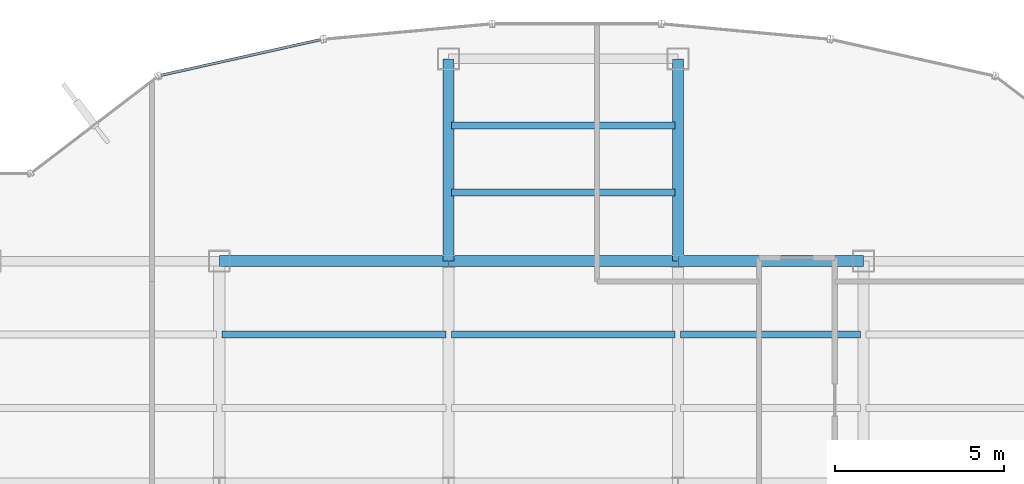
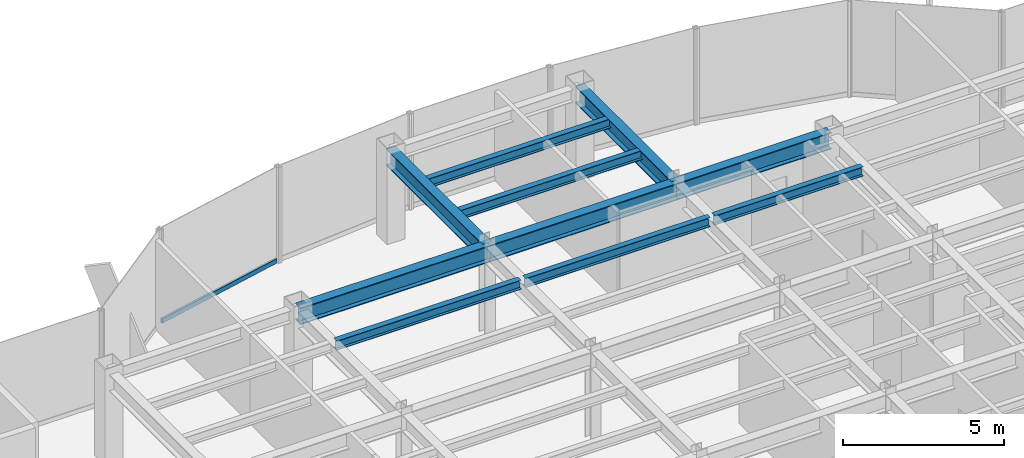
# One storey, part 15 of 25: 10 beams, 1 member, 1 element without a shape of its own.
"""IFC4 building model written with IfcOpenShell, lengths in metres."""

from ifc_helpers import new_model, si_unit, derived_unit, direction, frame, origin, origin_2d, place, context, subcontext, project, spatial, hollow_rectangle, i_section, extrude, source, transform, mapped, material, material_profile, profile_set, type_object, element, aggregate, save


model = new_model("IFC4")

# Units and contexts
model_context = context("Model", 3, precision=1e-05, world=origin(), true_north=direction((0.0, 1.0)))
body_context = subcontext(model_context, "Body", "Model", "MODEL_VIEW")
ifc_project = project(units=[si_unit("LENGTHUNIT", "METRE"), si_unit("AREAUNIT", "SQUARE_METRE"), si_unit("VOLUMEUNIT", "CUBIC_METRE"), si_unit("PLANEANGLEUNIT", "RADIAN"), si_unit("MASSUNIT", "GRAM", prefix="KILO"), derived_unit("THERMALTRANSMITTANCEUNIT", [(si_unit("POWERUNIT", "WATT"), 1), (si_unit("LENGTHUNIT", "METRE"), -2), (si_unit("THERMODYNAMICTEMPERATUREUNIT", "KELVIN"), -1)])], contexts=[model_context])

# Site, building, storey
site_placement = place(None, origin())
site = spatial("IfcSite", under=ifc_project, at=site_placement, CompositionType="ELEMENT")
building_placement = place(site_placement, origin())
building = spatial("IfcBuilding", under=site, at=building_placement, Name="Skarnbrae Concourse Arena and Tower", CompositionType="ELEMENT")
storey_placement = place(building_placement, frame((0.0, 0.0, 151.550048828125)))
storey = spatial("IfcBuildingStorey", under=building, at=storey_placement, Name="L38", CompositionType="ELEMENT", Elevation=151.550048828125)

# Beams
ifc_material_1 = material(Name="Steel CSA G40.21 350W", Category="steel")
ifc_material_profile_1 = material_profile(ifc_material_1, i_section(OverallWidth=0.3291015625, OverallDepth=0.635009765625, WebThickness=0.017822265625, FlangeThickness=0.031005859375, at=origin_2d()), Name="W610X241")
ifc_profile_set_1 = profile_set([ifc_material_profile_1], Name="Steel CSA G40.21 350W")
beam_type_1 = type_object("IfcBeamType", Name="BM-GIRD-W610X241", PredefinedType="BEAM", material=ifc_profile_set_1)
shared_shape_1 = source(origin(), body_context, "Body", "SweptSolid", [
    extrude(i_section(OverallWidth=0.3291015625, OverallDepth=0.635009765625, WebThickness=0.017822265625, FlangeThickness=0.031005859375, at=origin_2d()), origin(), (0.0, 0.0, 1.0), 6.800048828125),
])
for number, where, z_axis, x_axis, name in (
    (1, (14.39990234375, 34.39990234375, 3.08251953125), (1.0, 0.0, 0.0), (0.0, 1.0, 0.0), "L38 Primary E-W girder Y34.4-2"),
    (2, (21.199951171875, 34.39990234375, 3.08251953125), (1.0, 0.0, 0.0), (0.0, 1.0, 0.0), "L38 Primary E-W girder Y34.4-3"),
):
    element("IfcBeam", number, at=place(storey_placement, frame(where, z_axis=z_axis, x_axis=x_axis)), inside=storey, type_object=beam_type_1, Name=name, PredefinedType="BEAM", context=body_context, shape_type="MappedRepresentation", body=[
        mapped(shared_shape_1, transform((0.0, 0.0, 0.0))),
    ])
shared_shape_2 = source(origin(), body_context, "Body", "SweptSolid", [
    extrude(i_section(OverallWidth=0.3291015625, OverallDepth=0.635009765625, WebThickness=0.017822265625, FlangeThickness=0.031005859375, at=origin_2d()), origin(), (0.0, 0.0, 1.0), 5.5),
])
beam_1_placement = place(storey_placement, frame((28.0, 34.39990234375, 3.08251953125), z_axis=(1.0, 0.0, 0.0), x_axis=(0.0, 1.0, 0.0)))
element("IfcBeam", 3, at=beam_1_placement, inside=storey, type_object=beam_type_1, Name="L38 Primary E-W girder Y34.4-4", PredefinedType="BEAM", context=body_context, shape_type="MappedRepresentation", body=[
    mapped(shared_shape_2, transform((0.0, 0.0, 0.0))),
])
shared_shape_3 = source(origin(), body_context, "Body", "SweptSolid", [
    extrude(i_section(OverallWidth=0.3291015625, OverallDepth=0.635009765625, WebThickness=0.017822265625, FlangeThickness=0.031005859375, at=origin_2d()), origin(), (0.0, 0.0, 1.0), 6.0),
])
for number, where, z_axis, x_axis, name in (
    (4, (21.199951171875, 34.39990234375, 3.08251953125), (0.0, 1.0, 0.0), (-1.0, 0.0, 0.0), "L38 Primary N-S girder X21.2-4"),
    (5, (28.0, 34.39990234375, 3.08251953125), (0.0, 1.0, 0.0), (-1.0, 0.0, 0.0), "L38 Primary N-S girder X28.0-4"),
):
    element("IfcBeam", number, at=place(storey_placement, frame(where, z_axis=z_axis, x_axis=x_axis)), inside=storey, type_object=beam_type_1, Name=name, PredefinedType="BEAM", context=body_context, shape_type="MappedRepresentation", body=[
        mapped(shared_shape_3, transform((0.0, 0.0, 0.0))),
    ])
ifc_material_profile_2 = material_profile(ifc_material_1, i_section(OverallWidth=0.205078125, OverallDepth=0.35400390625, WebThickness=0.009521484375, FlangeThickness=0.016845703125, at=origin_2d()), Name="W360X79")
ifc_profile_set_2 = profile_set([ifc_material_profile_2], Name="Steel CSA G40.21 350W")
beam_type_2 = type_object("IfcBeamType", Name="BM-JOIST-W360X79", PredefinedType="JOIST", material=ifc_profile_set_2)
shared_shape_4 = source(origin(), body_context, "Body", "SweptSolid", [
    extrude(i_section(OverallWidth=0.205078125, OverallDepth=0.35400390625, WebThickness=0.009521484375, FlangeThickness=0.016845703125, at=origin_2d()), origin(), (0.0, 0.0, 1.0), 6.64013671875),
])
beam_2_placement = place(storey_placement, frame((14.47998046875, 32.221923828125, 3.222900390625), z_axis=(1.0, 0.0, 0.0), x_axis=(0.0, 1.0, 0.0)))
element("IfcBeam", 6, at=beam_2_placement, inside=storey, type_object=beam_type_2, Name="L38 Secondary floor joist 3.2.2", PredefinedType="JOIST", context=body_context, shape_type="MappedRepresentation", body=[
    mapped(shared_shape_4, transform((0.0, 0.0, 0.0))),
])
shared_shape_5 = source(origin(), body_context, "Body", "SweptSolid", [
    extrude(i_section(OverallWidth=0.205078125, OverallDepth=0.35400390625, WebThickness=0.009521484375, FlangeThickness=0.016845703125, at=origin_2d()), origin(), (0.0, 0.0, 1.0), 6.639892578125),
])
for number, where, z_axis, x_axis, name in (
    (7, (21.280029296875, 32.221923828125, 3.222900390625), (1.0, 0.0, 0.0), (0.0, 1.0, 0.0), "L38 Secondary floor joist 3.2.3"),
    (8, (21.280029296875, 36.43994140625, 3.222900390625), (1.0, 0.0, 0.0), (0.0, 1.0, 0.0), "L38 Secondary floor joist 4.1.1"),
    (9, (21.280029296875, 38.419921875, 3.222900390625), (1.0, 0.0, 0.0), (0.0, 1.0, 0.0), "L38 Secondary floor joist 4.2.1"),
):
    element("IfcBeam", number, at=place(storey_placement, frame(where, z_axis=z_axis, x_axis=x_axis)), inside=storey, type_object=beam_type_2, Name=name, PredefinedType="JOIST", context=body_context, shape_type="MappedRepresentation", body=[
        mapped(shared_shape_5, transform((0.0, 0.0, 0.0))),
    ])
shared_shape_6 = source(origin(), body_context, "Body", "SweptSolid", [
    extrude(i_section(OverallWidth=0.205078125, OverallDepth=0.35400390625, WebThickness=0.009521484375, FlangeThickness=0.016845703125, at=origin_2d()), origin(), (0.0, 0.0, 1.0), 5.33984375),
])
beam_3_placement = place(storey_placement, frame((28.080078125, 32.221923828125, 3.222900390625), z_axis=(1.0, 0.0, 0.0), x_axis=(0.0, 1.0, 0.0)))
element("IfcBeam", 10, at=beam_3_placement, inside=storey, type_object=beam_type_2, Name="L38 Secondary floor joist 3.2.4", PredefinedType="JOIST", context=body_context, shape_type="MappedRepresentation", body=[
    mapped(shared_shape_6, transform((0.0, 0.0, 0.0))),
])

# Curtain wall, member
ifc_material_2 = material(Name="Bronze anodised aluminium 6063-T6", Category="aluminium")
curtain_wall_type = type_object("IfcCurtainWallType", Name="CW-SYS-03-PORTAL", PredefinedType="USERDEFINED", material=ifc_material_2)
curtain_wall_placement = place(storey_placement, origin())
curtain_wall = element("IfcCurtainWall", 11, at=curtain_wall_placement, inside=storey, type_object=curtain_wall_type, Name="L38 Unitised curtain wall CW-L38-E13", ObjectType="UNITISED CURTAIN WALL", PredefinedType="USERDEFINED")
ifc_material_profile_3 = material_profile(ifc_material_2, hollow_rectangle(XDim=0.080078125, YDim=0.169921875, WallThickness=0.00439453125, at=origin_2d()), Name="ALU-TRAN-80X170")
ifc_profile_set_3 = profile_set([ifc_material_profile_3], Name="Bronze anodised aluminium 6063-T6")
member_type = type_object("IfcMemberType", Name="CWT-CW-03", PredefinedType="USERDEFINED", material=ifc_profile_set_3)
shared_shape_7 = source(origin(), body_context, "Body", "SweptSolid", [
    extrude(hollow_rectangle(XDim=0.080078125, YDim=0.169921875, WallThickness=0.00439453125, at=origin_2d()), origin(), (0.0, 0.0, 1.0), 4.85791015625),
])
member_placement = place(storey_placement, frame((17.40966796875, 40.969482421875, 0.0849609375), z_axis=(-0.975934527506, -0.21806374761, 0.0), x_axis=(0.21806374761, -0.975934527506, 0.0)))
member = element("IfcMember", 12, at=member_placement, type_object=member_type, Name="CW-L38-E13 Transom 1", ObjectType="TRANSOM", PredefinedType="USERDEFINED", context=body_context, shape_type="MappedRepresentation", body=[
    mapped(shared_shape_7, transform((0.0, 0.0, 0.0))),
])
aggregate(curtain_wall, [member])

save(model, "model.ifc")
